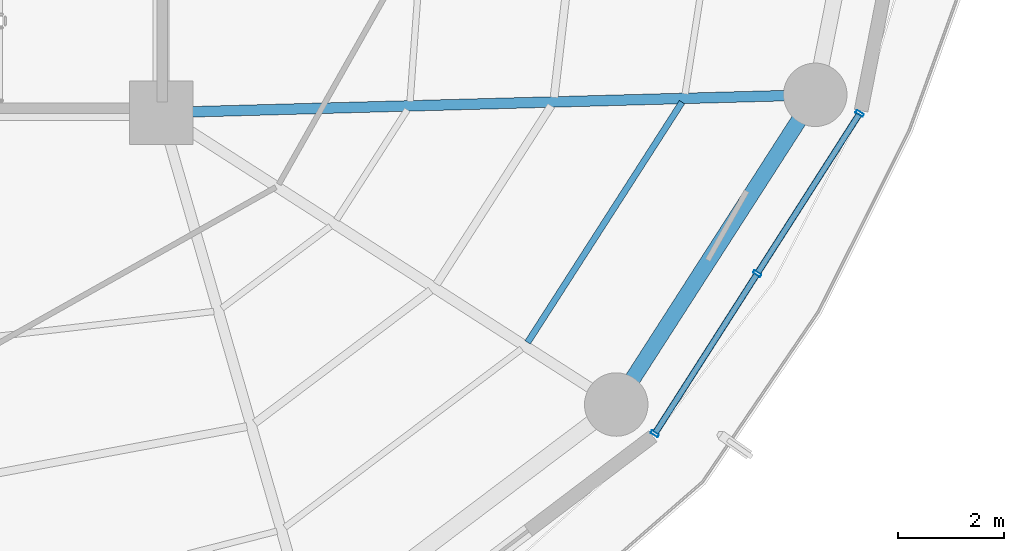
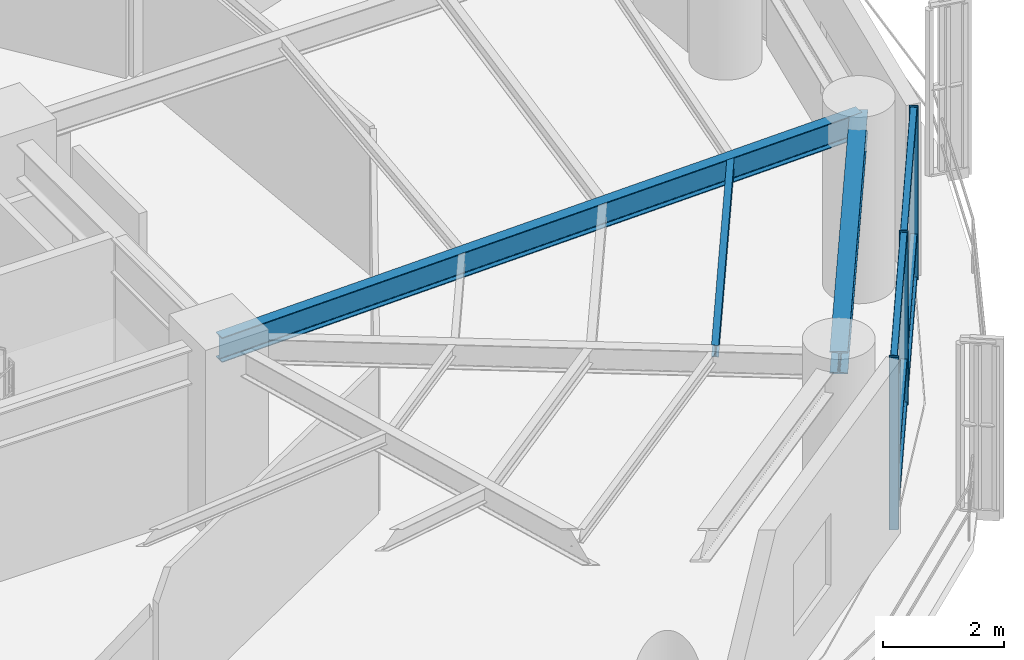
# One storey, part 11 of 27: 9 members, 3 beams, 1 element without a shape of its own.
"""IFC4 building model written with IfcOpenShell, lengths in metres."""

from ifc_helpers import new_model, si_unit, direction, frame, origin, origin_2d, place, context, subcontext, project, spatial, hollow_rectangle, i_section, extrude, material, layer, layer_set, material_profile, profile_set, type_object, element, aggregate, save


model = new_model("IFC4")

# Units and contexts
model_context = context("Model", 3, precision=1e-05, world=origin(), true_north=direction((0.0, 1.0)))
body_context = subcontext(model_context, "Body", "Model", "MODEL_VIEW")
ifc_project = project(units=[si_unit("LENGTHUNIT", "METRE"), si_unit("AREAUNIT", "SQUARE_METRE"), si_unit("VOLUMEUNIT", "CUBIC_METRE"), si_unit("PLANEANGLEUNIT", "RADIAN"), si_unit("MASSUNIT", "GRAM", prefix="KILO")], contexts=[model_context])

# Site, building, storey
site_placement = place(None, origin())
site = spatial("IfcSite", under=ifc_project, at=site_placement, CompositionType="ELEMENT")
building_placement = place(site_placement, origin())
building = spatial("IfcBuilding", under=site, at=building_placement, Name="Kelanora Arch Commons", CompositionType="ELEMENT")
storey_placement = place(building_placement, frame((0.0, 0.0, 169.35009765625)))
storey = spatial("IfcBuildingStorey", under=building, at=storey_placement, Name="L43", CompositionType="ELEMENT", Elevation=169.35009765625)

# Beams
ifc_material_1 = material(Name="Steel S355", Category="steel")
ifc_material_profile_1 = material_profile(ifc_material_1, i_section(OverallWidth=0.1201171875, OverallDepth=0.239990234375, WebThickness=0.006103515625, FlangeThickness=0.009765625, FilletRadius=0.014892578125, at=origin_2d()), Name="IPE240")
ifc_profile_set_1 = profile_set([ifc_material_profile_1], Name="Steel S355")
beam_type_1 = type_object("IfcBeamType", Name="BM-JST-02", PredefinedType="JOIST", material=ifc_profile_set_1)
beam_1_placement = place(storey_placement, frame((88.93212890625, 46.654296875, 3.369873046875), z_axis=(0.540581678156, 0.841291536414, 0.0), x_axis=(-0.841291536414, 0.540581678156, 0.0)))
element("IfcBeam", 1, at=beam_1_placement, inside=storey, type_object=beam_type_1, Name="Secondary Chord Joist BJC-32 L43", PredefinedType="JOIST", context=body_context, shape_type="SweptSolid", body=[
    extrude(i_section(OverallWidth=0.1201171875, OverallDepth=0.239990234375, WebThickness=0.006103515625, FlangeThickness=0.009765625, FilletRadius=0.014892578125, at=origin_2d()), origin(), (0.0, 0.0, 1.0), 5.4013671875),
])
ifc_material_profile_2 = material_profile(ifc_material_1, i_section(OverallWidth=0.199951171875, OverallDepth=0.5, WebThickness=0.01025390625, FlangeThickness=0.01611328125, FilletRadius=0.02099609375, at=origin_2d()), Name="IPE500")
ifc_profile_set_2 = profile_set([ifc_material_profile_2], Name="Steel S355")
beam_type_2 = type_object("IfcBeamType", Name="BM-RAD-Z3", PredefinedType="BEAM", material=ifc_profile_set_2)
beam_2_placement = place(storey_placement, frame((82.0, 51.0, 3.239990234375), z_axis=(0.999628374924, 0.027260081577, 0.0), x_axis=(-0.027260081577, 0.999628374924, 0.0)))
element("IfcBeam", 2, at=beam_2_placement, inside=storey, type_object=beam_type_2, Name="Radial Floor Girder BR-34 L43", PredefinedType="BEAM", context=body_context, shape_type="SweptSolid", body=[
    extrude(i_section(OverallWidth=0.199951171875, OverallDepth=0.5, WebThickness=0.01025390625, FlangeThickness=0.01611328125, FilletRadius=0.02099609375, at=origin_2d()), origin(), (0.0, 0.0, 1.0), 12.377197265625),
])
ifc_material_profile_3 = material_profile(ifc_material_1, i_section(OverallWidth=0.300048828125, OverallDepth=0.449951171875, WebThickness=0.013916015625, FlangeThickness=0.02587890625, FilletRadius=0.027099609375, at=origin_2d()), Name="HEB450")
ifc_profile_set_3 = profile_set([ifc_material_profile_3], Name="Steel S355")
beam_type_3 = type_object("IfcBeamType", Name="BM-SPN-Z3", PredefinedType="SPANDREL", material=ifc_profile_set_3)
beam_3_placement = place(storey_placement, frame((90.60791015625, 45.478515625, 3.264892578125), z_axis=(0.540576852469, 0.841294637196, 0.0), x_axis=(-0.841294637196, 0.540576852469, 0.0)))
element("IfcBeam", 3, at=beam_3_placement, inside=storey, type_object=beam_type_3, Name="Perimeter Spandrel Beam BS-32 L43", PredefinedType="SPANDREL", context=body_context, shape_type="SweptSolid", body=[
    extrude(i_section(OverallWidth=0.300048828125, OverallDepth=0.449951171875, WebThickness=0.013916015625, FlangeThickness=0.02587890625, FilletRadius=0.027099609375, at=origin_2d()), origin(), (0.0, 0.0, 1.0), 6.964111328125),
])

# Curtain wall, members
ifc_material_2 = material(Name="Terracotta ceramic-fritted low-E glass and aluminium", Category="masonry")
ifc_layer = layer(ifc_material_2, 0.175048828125)
ifc_layer_set = layer_set([ifc_layer], Name="Terracotta ceramic-fritted low-E glass and aluminium")
curtain_wall_type = type_object("IfcCurtainWallType", Name="CW-SYS-02", PredefinedType="NOTDEFINED", material=ifc_layer_set)
curtain_wall_placement = place(storey_placement, origin())
curtain_wall = element("IfcCurtainWall", 4, at=curtain_wall_placement, inside=storey, type_object=curtain_wall_type, Name="Unitised Curtain Wall L43-B16", PredefinedType="NOTDEFINED")
ifc_material_3 = material(Name="Powder-coated aluminium terracotta", Category="masonry")
ifc_material_profile_4 = material_profile(ifc_material_3, hollow_rectangle(XDim=0.159912109375, YDim=0.06005859375, WallThickness=0.0048828125, InnerFilletRadius=0.0048828125, OuterFilletRadius=0.010009765625, at=origin_2d()), Name="CWM160x60")
ifc_profile_set_4 = profile_set([ifc_material_profile_4], Name="Powder-coated aluminium terracotta")
member_type_1 = type_object("IfcMemberType", Name="CWM-STD", PredefinedType="MULLION", material=ifc_profile_set_4)
member_1_placement = place(storey_placement, frame((91.3369140625, 44.925048828125, 0.0), z_axis=(0.0, 0.0, 1.0), x_axis=(-0.842422846546, 0.538816988983, 0.0)))
member_1 = element("IfcMember", 5, at=member_1_placement, type_object=member_type_1, Name="CW-02 mullion 1", PredefinedType="MULLION", context=body_context, shape_type="SweptSolid", body=[
    extrude(hollow_rectangle(XDim=0.159912109375, YDim=0.06005859375, WallThickness=0.0048828125, InnerFilletRadius=0.0048828125, OuterFilletRadius=0.010009765625, at=origin_2d()), origin(), (0.0, 0.0, 1.0), 3.474853515625),
])
member_2_placement = place(storey_placement, frame((93.27490234375, 47.954833984375, 0.0), z_axis=(0.0, 0.0, 1.0), x_axis=(-0.842422846546, 0.538816988983, 0.0)))
member_2 = element("IfcMember", 6, at=member_2_placement, type_object=member_type_1, Name="CW-02 mullion 2", PredefinedType="MULLION", context=body_context, shape_type="SweptSolid", body=[
    extrude(hollow_rectangle(XDim=0.159912109375, YDim=0.06005859375, WallThickness=0.0048828125, InnerFilletRadius=0.0048828125, OuterFilletRadius=0.010009765625, at=origin_2d()), origin(), (0.0, 0.0, 1.0), 3.474853515625),
])
member_3_placement = place(storey_placement, frame((95.212890625, 50.98486328125, 0.0), z_axis=(0.0, 0.0, 1.0), x_axis=(-0.842422846546, 0.538816988983, 0.0)))
member_3 = element("IfcMember", 7, at=member_3_placement, type_object=member_type_1, Name="CW-02 mullion 3", PredefinedType="MULLION", context=body_context, shape_type="SweptSolid", body=[
    extrude(hollow_rectangle(XDim=0.159912109375, YDim=0.06005859375, WallThickness=0.0048828125, InnerFilletRadius=0.0048828125, OuterFilletRadius=0.010009765625, at=origin_2d()), origin(), (0.0, 0.0, 1.0), 3.474853515625),
])
ifc_material_profile_5 = material_profile(ifc_material_3, hollow_rectangle(XDim=0.1201171875, YDim=0.06005859375, WallThickness=0.0048828125, InnerFilletRadius=0.0048828125, OuterFilletRadius=0.010009765625, at=origin_2d()), Name="CWT120x60")
ifc_profile_set_5 = profile_set([ifc_material_profile_5], Name="Powder-coated aluminium terracotta")
member_type_2 = type_object("IfcMemberType", Name="CWT-STD", PredefinedType="USERDEFINED", material=ifc_profile_set_5)
member_4_placement = place(storey_placement, frame((91.35302734375, 44.9501953125, 0.02978515625), z_axis=(0.53883037555, 0.842414284295, 0.0), x_axis=(-0.842414284295, 0.53883037555, 0.0)))
member_4 = element("IfcMember", 8, at=member_4_placement, type_object=member_type_2, Name="CW-02 transom 1.1", ObjectType="TRANSOM", PredefinedType="USERDEFINED", context=body_context, shape_type="SweptSolid", body=[
    extrude(hollow_rectangle(XDim=0.1201171875, YDim=0.06005859375, WallThickness=0.0048828125, InnerFilletRadius=0.0048828125, OuterFilletRadius=0.010009765625, at=origin_2d()), origin(), (0.0, 0.0, 1.0), 3.536865234375),
])
member_5_placement = place(storey_placement, frame((91.35302734375, 44.9501953125, 0.89990234375), z_axis=(0.53883037555, 0.842414284295, 0.0), x_axis=(-0.842414284295, 0.53883037555, 0.0)))
member_5 = element("IfcMember", 9, at=member_5_placement, type_object=member_type_2, Name="CW-02 transom 1.2", ObjectType="TRANSOM", PredefinedType="USERDEFINED", context=body_context, shape_type="SweptSolid", body=[
    extrude(hollow_rectangle(XDim=0.1201171875, YDim=0.06005859375, WallThickness=0.0048828125, InnerFilletRadius=0.0048828125, OuterFilletRadius=0.010009765625, at=origin_2d()), origin(), (0.0, 0.0, 1.0), 3.536865234375),
])
member_6_placement = place(storey_placement, frame((91.35302734375, 44.9501953125, 3.44482421875), z_axis=(0.53883037555, 0.842414284295, 0.0), x_axis=(-0.842414284295, 0.53883037555, 0.0)))
member_6 = element("IfcMember", 10, at=member_6_placement, type_object=member_type_2, Name="CW-02 transom 1.3", ObjectType="TRANSOM", PredefinedType="USERDEFINED", context=body_context, shape_type="SweptSolid", body=[
    extrude(hollow_rectangle(XDim=0.1201171875, YDim=0.06005859375, WallThickness=0.0048828125, InnerFilletRadius=0.0048828125, OuterFilletRadius=0.010009765625, at=origin_2d()), origin(), (0.0, 0.0, 1.0), 3.536865234375),
])
member_7_placement = place(storey_placement, frame((93.291015625, 47.980224609375, 0.02978515625), z_axis=(0.53883037555, 0.842414284295, 0.0), x_axis=(-0.842414284295, 0.53883037555, 0.0)))
member_7 = element("IfcMember", 11, at=member_7_placement, type_object=member_type_2, Name="CW-02 transom 2.1", ObjectType="TRANSOM", PredefinedType="USERDEFINED", context=body_context, shape_type="SweptSolid", body=[
    extrude(hollow_rectangle(XDim=0.1201171875, YDim=0.06005859375, WallThickness=0.0048828125, InnerFilletRadius=0.0048828125, OuterFilletRadius=0.010009765625, at=origin_2d()), origin(), (0.0, 0.0, 1.0), 3.536865234375),
])
member_8_placement = place(storey_placement, frame((93.291015625, 47.980224609375, 0.89990234375), z_axis=(0.53883037555, 0.842414284295, 0.0), x_axis=(-0.842414284295, 0.53883037555, 0.0)))
member_8 = element("IfcMember", 12, at=member_8_placement, type_object=member_type_2, Name="CW-02 transom 2.2", ObjectType="TRANSOM", PredefinedType="USERDEFINED", context=body_context, shape_type="SweptSolid", body=[
    extrude(hollow_rectangle(XDim=0.1201171875, YDim=0.06005859375, WallThickness=0.0048828125, InnerFilletRadius=0.0048828125, OuterFilletRadius=0.010009765625, at=origin_2d()), origin(), (0.0, 0.0, 1.0), 3.536865234375),
])
member_9_placement = place(storey_placement, frame((93.291015625, 47.980224609375, 3.44482421875), z_axis=(0.53883037555, 0.842414284295, 0.0), x_axis=(-0.842414284295, 0.53883037555, 0.0)))
member_9 = element("IfcMember", 13, at=member_9_placement, type_object=member_type_2, Name="CW-02 transom 2.3", ObjectType="TRANSOM", PredefinedType="USERDEFINED", context=body_context, shape_type="SweptSolid", body=[
    extrude(hollow_rectangle(XDim=0.1201171875, YDim=0.06005859375, WallThickness=0.0048828125, InnerFilletRadius=0.0048828125, OuterFilletRadius=0.010009765625, at=origin_2d()), origin(), (0.0, 0.0, 1.0), 3.536865234375),
])
aggregate(curtain_wall, [member_1, member_2, member_3, member_4, member_5, member_6, member_7, member_8, member_9])

save(model, "model.ifc")
